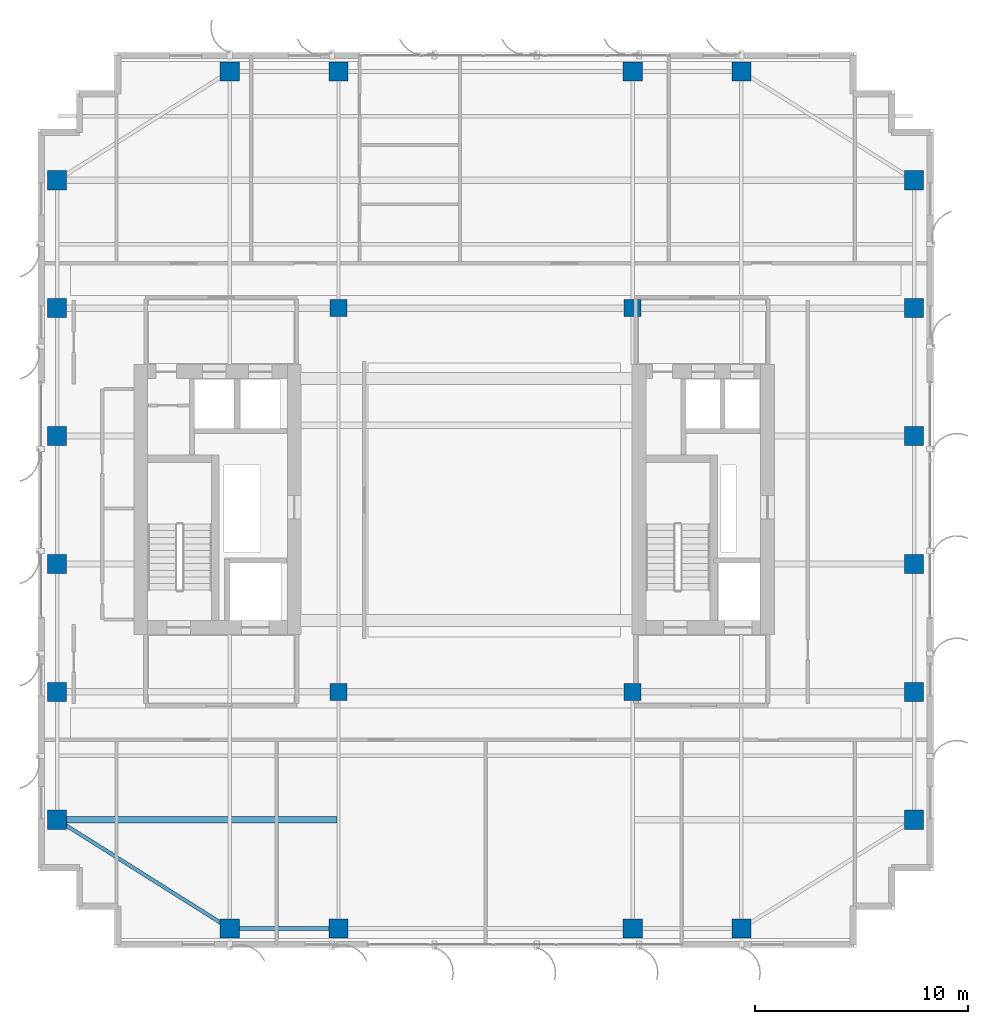
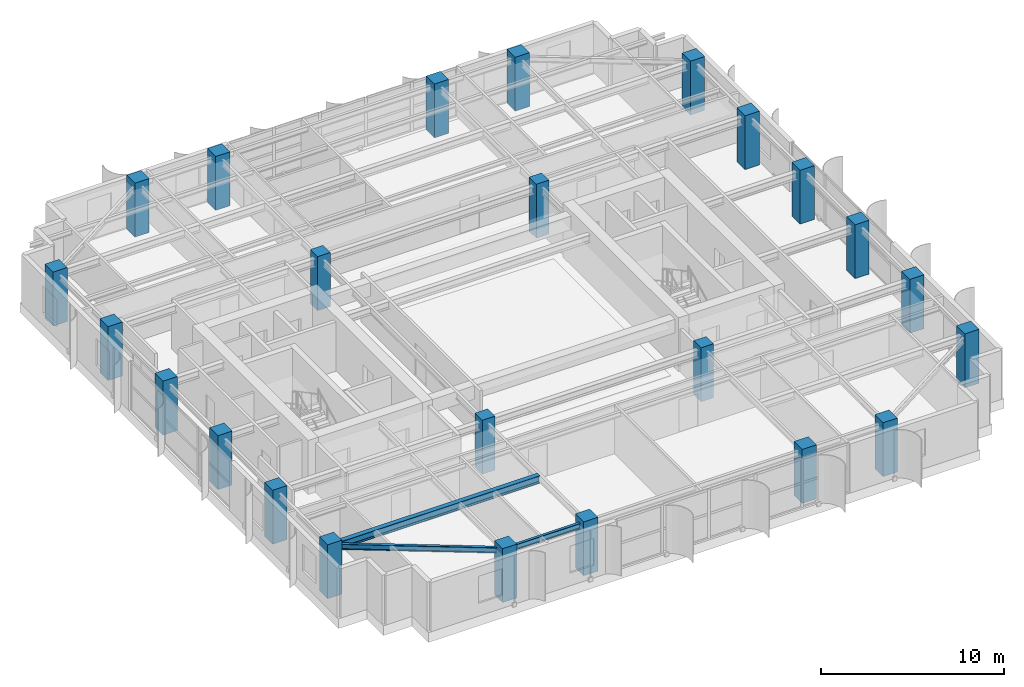
# One storey, part 1 of 25: 24 columns, 3 beams.
"""IFC4 building model written with IfcOpenShell, lengths in metres."""

from ifc_helpers import new_model, si_unit, direction, frame, origin, origin_2d, place, context, subcontext, project, spatial, rectangle, i_section, extrude, source, transform, mapped, material, material_profile, profile_set, type_object, element, save


model = new_model("IFC4")

# Units and contexts
model_context = context("Model", 3, precision=1e-05, world=origin(), true_north=direction((0.0, 1.0)))
body_context = subcontext(model_context, "Body", "Model", "MODEL_VIEW")
ifc_project = project(units=[si_unit("LENGTHUNIT", "METRE"), si_unit("AREAUNIT", "SQUARE_METRE"), si_unit("VOLUMEUNIT", "CUBIC_METRE"), si_unit("PLANEANGLEUNIT", "RADIAN"), si_unit("MASSUNIT", "GRAM", prefix="KILO")], contexts=[model_context])

# Site, building, storey
site_placement = place(None, origin())
site = spatial("IfcSite", under=ifc_project, at=site_placement, CompositionType="ELEMENT")
building_placement = place(site_placement, origin())
building = spatial("IfcBuilding", under=site, at=building_placement, Name="Khoralis Quay Care Tower", CompositionType="ELEMENT")
storey_placement = place(building_placement, frame((0.0, 0.0, 216.89990234375)))
storey = spatial("IfcBuildingStorey", under=building, at=storey_placement, Name="L57", CompositionType="ELEMENT", Elevation=216.89990234375)

# Columns
ifc_material_1 = material(Name="Concrete C65/80", Category="concrete")
ifc_material_profile_1 = material_profile(ifc_material_1, rectangle(XDim=0.89990234375, YDim=0.89990234375, at=origin_2d()), Name="Concrete C65/80")
ifc_profile_set_1 = profile_set([ifc_material_profile_1], Name="Concrete C65/80")
column_type_1 = type_object("IfcColumnType", Name="COL-C900", PredefinedType="COLUMN", material=ifc_profile_set_1)
shared_shape_1 = source(origin(), body_context, "Body", "SweptSolid", [
    extrude(rectangle(XDim=0.89990234375, YDim=0.89990234375, at=origin_2d()), origin(), (0.0, 0.0, 1.0), 3.60009765625),
])
for number, where, z_axis, x_axis, name in (
    (1, (12.0, 0.89990234375, 0.0), (0.0, 0.0, 1.0), (1.0, 0.0, 0.0), "COL-TWR-L57-X120Y9"),
    (2, (12.0, 41.10009765625, 0.0), (0.0, 0.0, 1.0), (1.0, 0.0, 0.0), "COL-TWR-L57-X120Y411"),
    (3, (17.10009765625, 0.89990234375, 0.0), (0.0, 0.0, 1.0), (1.0, 0.0, 0.0), "COL-TWR-L57-X171Y9"),
    (4, (17.10009765625, 41.10009765625, 0.0), (0.0, 0.0, 1.0), (1.0, 0.0, 0.0), "COL-TWR-L57-X171Y411"),
    (5, (30.89990234375, 0.89990234375, 0.0), (0.0, 0.0, 1.0), (1.0, 0.0, 0.0), "COL-TWR-L57-X309Y9"),
    (6, (30.89990234375, 41.10009765625, 0.0), (0.0, 0.0, 1.0), (1.0, 0.0, 0.0), "COL-TWR-L57-X309Y411"),
    (7, (36.0, 0.89990234375, 0.0), (0.0, 0.0, 1.0), (1.0, 0.0, 0.0), "COL-TWR-L57-X360Y9"),
    (8, (36.0, 41.10009765625, 0.0), (0.0, 0.0, 1.0), (1.0, 0.0, 0.0), "COL-TWR-L57-X360Y411"),
    (9, (3.89990234375, 6.0, 0.0), (0.0, 0.0, 1.0), (1.0, 0.0, 0.0), "COL-TWR-L57-X39Y60"),
    (10, (44.10009765625, 6.0, 0.0), (0.0, 0.0, 1.0), (1.0, 0.0, 0.0), "COL-TWR-L57-X441Y60"),
    (11, (3.89990234375, 12.0, 0.0), (0.0, 0.0, 1.0), (1.0, 0.0, 0.0), "COL-TWR-L57-X39Y120"),
    (12, (44.10009765625, 12.0, 0.0), (0.0, 0.0, 1.0), (1.0, 0.0, 0.0), "COL-TWR-L57-X441Y120"),
    (13, (3.89990234375, 18.0, 0.0), (0.0, 0.0, 1.0), (1.0, 0.0, 0.0), "COL-TWR-L57-X39Y180"),
    (14, (44.10009765625, 18.0, 0.0), (0.0, 0.0, 1.0), (1.0, 0.0, 0.0), "COL-TWR-L57-X441Y180"),
    (15, (3.89990234375, 24.0, 0.0), (0.0, 0.0, 1.0), (1.0, 0.0, 0.0), "COL-TWR-L57-X39Y240"),
    (16, (44.10009765625, 24.0, 0.0), (0.0, 0.0, 1.0), (1.0, 0.0, 0.0), "COL-TWR-L57-X441Y240"),
    (17, (3.89990234375, 30.0, 0.0), (0.0, 0.0, 1.0), (1.0, 0.0, 0.0), "COL-TWR-L57-X39Y300"),
    (18, (44.10009765625, 30.0, 0.0), (0.0, 0.0, 1.0), (1.0, 0.0, 0.0), "COL-TWR-L57-X441Y300"),
    (19, (3.89990234375, 36.0, 0.0), (0.0, 0.0, 1.0), (1.0, 0.0, 0.0), "COL-TWR-L57-X39Y360"),
    (20, (44.10009765625, 36.0, 0.0), (0.0, 0.0, 1.0), (1.0, 0.0, 0.0), "COL-TWR-L57-X441Y360"),
):
    element("IfcColumn", number, at=place(storey_placement, frame(where, z_axis=z_axis, x_axis=x_axis)), inside=storey, type_object=column_type_1, Name=name, PredefinedType="COLUMN", context=body_context, shape_type="MappedRepresentation", body=[
        mapped(shared_shape_1, transform((0.0, 0.0, 0.0), scale=1.0)),
    ])
ifc_material_2 = material(Name="Concrete C50/60", Category="concrete")
ifc_material_profile_2 = material_profile(ifc_material_2, rectangle(XDim=0.800048828125, YDim=0.800048828125, at=origin_2d()), Name="Concrete C50/60")
ifc_profile_set_2 = profile_set([ifc_material_profile_2], Name="Concrete C50/60")
column_type_2 = type_object("IfcColumnType", Name="COL-C800", PredefinedType="COLUMN", material=ifc_profile_set_2)
shared_shape_2 = source(origin(), body_context, "Body", "SweptSolid", [
    extrude(rectangle(XDim=0.800048828125, YDim=0.800048828125, at=origin_2d()), origin(), (0.0, 0.0, 1.0), 3.60009765625),
])
for number, where, z_axis, x_axis, name in (
    (21, (17.10009765625, 12.0, 0.0), (0.0, 0.0, 1.0), (1.0, 0.0, 0.0), "COL-TWR-L57-X171Y120"),
    (22, (17.10009765625, 30.0, 0.0), (0.0, 0.0, 1.0), (1.0, 0.0, 0.0), "COL-TWR-L57-X171Y300"),
    (23, (30.89990234375, 12.0, 0.0), (0.0, 0.0, 1.0), (1.0, 0.0, 0.0), "COL-TWR-L57-X309Y120"),
    (24, (30.89990234375, 30.0, 0.0), (0.0, 0.0, 1.0), (1.0, 0.0, 0.0), "COL-TWR-L57-X309Y300"),
):
    element("IfcColumn", number, at=place(storey_placement, frame(where, z_axis=z_axis, x_axis=x_axis)), inside=storey, type_object=column_type_2, Name=name, PredefinedType="COLUMN", context=body_context, shape_type="MappedRepresentation", body=[
        mapped(shared_shape_2, transform((0.0, 0.0, 0.0), scale=1.0)),
    ])

# Beams
ifc_material_3 = material(Name="Steel S355", Category="steel")
ifc_material_profile_3 = material_profile(ifc_material_3, i_section(OverallWidth=0.169921875, OverallDepth=0.360107421875, WebThickness=0.008056640625, FlangeThickness=0.0126953125, FilletRadius=0.01806640625, at=origin_2d()), Name="Steel S355")
ifc_profile_set_3 = profile_set([ifc_material_profile_3], Name="Steel S355")
beam_type_1 = type_object("IfcBeamType", Name="BM-IPE360", PredefinedType="SPANDREL", material=ifc_profile_set_3)
shared_shape_3 = source(origin(), body_context, "Body", "SweptSolid", [
    extrude(i_section(OverallWidth=0.169921875, OverallDepth=0.360107421875, WebThickness=0.008056640625, FlangeThickness=0.0126953125, FilletRadius=0.01806640625, at=origin_2d()), origin(), (0.0, 0.0, 1.0), 5.10009765625),
])
beam_1_placement = place(storey_placement, frame((12.0, 0.89990234375, 3.10009765625), z_axis=(1.0, 0.0, 0.0), x_axis=(0.0, 1.0, 0.0)))
element("IfcBeam", 25, at=beam_1_placement, inside=storey, type_object=beam_type_1, Name="BM-TSP-L57-01", PredefinedType="SPANDREL", context=body_context, shape_type="MappedRepresentation", body=[
    mapped(shared_shape_3, transform((0.0, 0.0, 0.0), scale=1.0)),
])
shared_shape_4 = source(origin(), body_context, "Body", "SweptSolid", [
    extrude(i_section(OverallWidth=0.169921875, OverallDepth=0.360107421875, WebThickness=0.008056640625, FlangeThickness=0.0126953125, FilletRadius=0.01806640625, at=origin_2d()), origin(), (0.0, 0.0, 1.0), 9.572021484375),
])
beam_2_placement = place(storey_placement, frame((12.0, 0.89990234375, 3.10009765625), z_axis=(-0.846231136359, 0.532815975602, 0.0), x_axis=(-0.532815975602, -0.846231136359, 0.0)))
element("IfcBeam", 26, at=beam_2_placement, inside=storey, type_object=beam_type_1, Name="BM-TCR-L57-17", PredefinedType="SPANDREL", context=body_context, shape_type="MappedRepresentation", body=[
    mapped(shared_shape_4, transform((0.0, 0.0, 0.0), scale=1.0)),
])
ifc_material_profile_4 = material_profile(ifc_material_3, i_section(OverallWidth=0.300048828125, OverallDepth=0.5, WebThickness=0.014404296875, FlangeThickness=0.028076171875, FilletRadius=0.027099609375, at=origin_2d()), Name="Steel S355")
ifc_profile_set_4 = profile_set([ifc_material_profile_4], Name="Steel S355")
beam_type_2 = type_object("IfcBeamType", Name="BM-HEB500", PredefinedType="BEAM", material=ifc_profile_set_4)
shared_shape_5 = source(origin(), body_context, "Body", "SweptSolid", [
    extrude(i_section(OverallWidth=0.300048828125, OverallDepth=0.5, WebThickness=0.014404296875, FlangeThickness=0.028076171875, FilletRadius=0.027099609375, at=origin_2d()), origin(), (0.0, 0.0, 1.0), 13.135009765625),
])
beam_3_placement = place(storey_placement, frame((3.89990234375, 6.0, 3.030029296875), z_axis=(1.0, 0.0, 0.0), x_axis=(0.0, 1.0, 0.0)))
element("IfcBeam", 27, at=beam_3_placement, inside=storey, type_object=beam_type_2, Name="BM-TGXW-L57-60", PredefinedType="BEAM", context=body_context, shape_type="MappedRepresentation", body=[
    mapped(shared_shape_5, transform((0.0, 0.0, 0.0), scale=1.0)),
])

save(model, "model.ifc")
